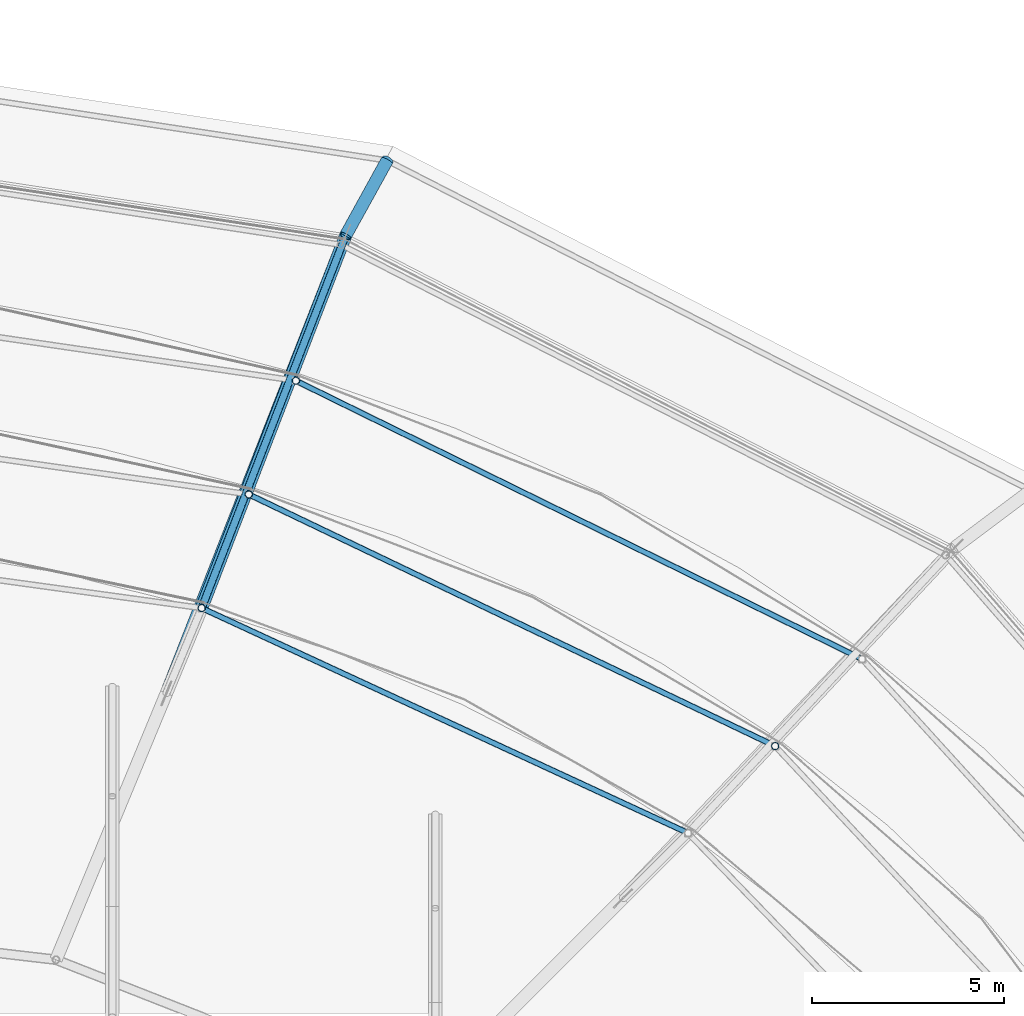
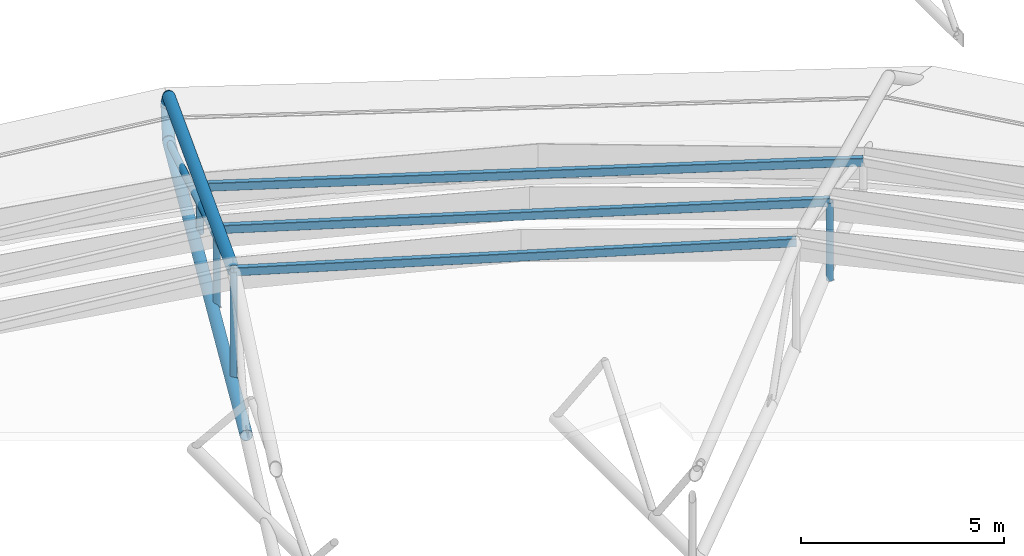
# One storey, part 47 of 134: 9 members, 3 beams.
"""IFC4 building model written with IfcOpenShell, lengths in metres."""

import ifcopenshell
import ifcopenshell.guid

model = None  # the IFC model being written
_history = None  # IfcOwnerHistory: only IFC2X3 demands one
_inside = {}  # id of a spatial element -> (the spatial element, [elements in it])
_under = {}  # id of a project, library or spatial element -> (it, [spatial elements below it])
_declared = {}  # id of a project -> (the project, [libraries it declares])
_typed = {}  # id of a type object -> (the type object, [elements of that type])
_made_of = {}  # id of a material, layer set ... -> (it, [elements and type objects made of it])


def new_model(schema):
    """Start an empty IFC model of exactly this schema.

    Asked for "IFC4X3", IfcOpenShell would pick the latest addendum, in which some entities
    have other attributes; the version numbers below select the first issue.
    IFC2X3 requires an IfcOwnerHistory on every rooted entity: one is made here for all.
    """
    global model, _history
    if schema == "IFC4X3":
        model = ifcopenshell.file(schema_version=(4, 3, 0, 0))
    else:
        model = ifcopenshell.file(schema=schema)
    _inside.clear()
    _under.clear()
    _declared.clear()
    _typed.clear()
    _made_of.clear()
    _history = None
    if model.schema == "IFC2X3":
        org = make("IfcOrganization", Name="unknown")
        user = make(
            "IfcPersonAndOrganization",
            ThePerson=make("IfcPerson", FamilyName="unknown"),
            TheOrganization=org,
        )
        app = make(
            "IfcApplication",
            ApplicationDeveloper=org,
            Version="unknown",
            ApplicationFullName="unknown",
            ApplicationIdentifier="unknown",
        )
        _history = make(
            "IfcOwnerHistory",
            OwningUser=user,
            OwningApplication=app,
            ChangeAction="ADDED",
            CreationDate=0,
        )
    return model


def make(cls, **values):
    """One entity of the class cls with the attributes given. An attribute that is None is left unset."""
    return model.create_entity(
        cls, **{name: value for name, value in values.items() if value is not None}
    )


def rooted(cls, **values):
    """An entity with a GlobalId (a new one), such as an element, a storey or a relation."""
    return make(cls, GlobalId=ifcopenshell.guid.new(), OwnerHistory=_history, **values)


def si_unit(unit_type, name, prefix=None):
    """IfcSIUnit, for example si_unit("LENGTHUNIT", "METRE", prefix="MILLI")."""
    return make("IfcSIUnit", UnitType=unit_type, Prefix=prefix, Name=name)


def derived_unit(unit_type, elements):
    """IfcDerivedUnit: a product of units, each with its exponent."""
    return make(
        "IfcDerivedUnit",
        Elements=[
            make("IfcDerivedUnitElement", Unit=unit, Exponent=power)
            for unit, power in elements
        ],
        UnitType=unit_type,
    )


def assignment(units):
    """IfcUnitAssignment: the units of a project."""
    return None if units is None else make("IfcUnitAssignment", Units=units)


def point(xyz):
    """IfcCartesianPoint."""
    return None if xyz is None else make("IfcCartesianPoint", Coordinates=xyz)


def direction(xyz):
    """IfcDirection."""
    return None if xyz is None else make("IfcDirection", DirectionRatios=xyz)


def frame(location, z_axis=None, x_axis=None):
    """IfcAxis2Placement3D, a coordinate frame: its origin and axes. An axis left out is left unset."""
    return make(
        "IfcAxis2Placement3D",
        Location=point(location),
        Axis=direction(z_axis),
        RefDirection=direction(x_axis),
    )


def frame_2d(location, x_axis=None):
    """IfcAxis2Placement2D, a coordinate frame in the plane: its origin and x axis."""
    return make(
        "IfcAxis2Placement2D", Location=point(location), RefDirection=direction(x_axis)
    )


def origin():
    """The frame at (0, 0, 0) with its axes left unset."""
    return frame((0.0, 0.0, 0.0))


def origin_2d():
    """The frame at (0, 0) in the plane with its x axis left unset."""
    return frame_2d((0.0, 0.0))


def place(relative_to, where):
    """IfcLocalPlacement: puts the frame where relative to a parent placement (None: the world)."""
    return make(
        "IfcLocalPlacement", PlacementRelTo=relative_to, RelativePlacement=where
    )


def context(
    kind, dimensions, precision=None, world=None, true_north=None, identifier=None
):
    """IfcGeometricRepresentationContext, for example the 3D "Model" context."""
    return make(
        "IfcGeometricRepresentationContext",
        ContextIdentifier=identifier,
        ContextType=kind,
        CoordinateSpaceDimension=dimensions,
        Precision=precision,
        WorldCoordinateSystem=world,
        TrueNorth=true_north,
    )


def subcontext(parent, identifier, kind, view, scale=None):
    """IfcGeometricRepresentationSubContext, for example "Body" below "Model"."""
    return make(
        "IfcGeometricRepresentationSubContext",
        ContextIdentifier=identifier,
        ContextType=kind,
        ParentContext=parent,
        TargetScale=scale,
        TargetView=view,
    )


def project(units=None, contexts=None):
    """IfcProject with its units and contexts."""
    return rooted(
        "IfcProject",
        Name="project",
        RepresentationContexts=contexts,
        UnitsInContext=assignment(units),
    )


def spatial(cls, under=None, at=None, **own):
    """A site, building, storey or space (cls), placed at a placement, below another one or the project."""
    s = rooted(cls, ObjectPlacement=at, **own)
    if under is not None:
        _under.setdefault(under.id(), (under, []))[1].append(s)
    return s


def profile(cls, at=None, kind="AREA", **sizes):
    """A parametric profile (cls). Its sizes go by their IFC names, for example OverallWidth=200.0."""
    return make(cls, ProfileType=kind, Position=at, **sizes)


def hollow_rectangle(**sizes):
    """IfcRectangleHollowProfileDef."""
    return profile("IfcRectangleHollowProfileDef", **sizes)


def hollow_circle(**sizes):
    """IfcCircleHollowProfileDef."""
    return profile("IfcCircleHollowProfileDef", **sizes)


def extrude(swept, where, along, depth):
    """IfcExtrudedAreaSolid: the profile swept, set in the frame where, extruded along a direction by depth."""
    return make(
        "IfcExtrudedAreaSolid",
        SweptArea=swept,
        Position=where,
        ExtrudedDirection=direction(along),
        Depth=depth,
    )


def shape(context_of_items, identifier, shape_type, items):
    """IfcShapeRepresentation: the items that make up one representation, for example the "Body"."""
    return make(
        "IfcShapeRepresentation",
        ContextOfItems=context_of_items,
        RepresentationIdentifier=identifier,
        RepresentationType=shape_type,
        Items=items,
    )


def material(Name=None, Category=None):
    """IfcMaterial."""
    return make("IfcMaterial", Name=Name, Category=Category)


def material_profile(
    of_material, cross_section, Name=None, Category=None, Priority=None
):
    """IfcMaterialProfile: a cross section and its material."""
    return make(
        "IfcMaterialProfile",
        Name=Name,
        Material=of_material,
        Profile=cross_section,
        Priority=Priority,
        Category=Category,
    )


def profile_set(profiles, Name=None, composite=None):
    """IfcMaterialProfileSet."""
    return make(
        "IfcMaterialProfileSet",
        Name=Name,
        MaterialProfiles=profiles,
        CompositeProfile=composite,
    )


def made_of(thing, what):
    """Note that an element or type object is made of a material, layer set ...; save() writes the relation."""
    if what is not None:
        _made_of.setdefault(what.id(), (what, []))[1].append(thing)
    return thing


def type_object(cls, material=None, **own):
    """A type object (cls), such as IfcWallType, which elements share."""
    return made_of(rooted(cls, **own), material)


def element(
    cls,
    number,
    at=None,
    inside=None,
    cuts=None,
    type_object=None,
    material=None,
    context=None,
    identifier="Body",
    shape_type=None,
    held_by="IfcProductDefinitionShape",
    body=None,
    shapes=None,
    **own,
):
    """One element of the class cls, such as IfcWall. Its Tag is "e" and its number.

    at: its placement. inside: the storey or other place that contains it. cuts: it is an
    opening in that element (IfcRelVoidsElement). A single representation is given by context,
    identifier, shape_type and body (its items); several are given by shapes. held_by: the class
    of the entity that holds the representations. save() writes the other relations.
    """
    e = rooted(cls, Tag="e%d" % number, ObjectPlacement=at, **own)
    if body is not None:
        shapes = [shape(context, identifier, shape_type, body)]
    if shapes is not None:
        e.Representation = make(held_by, Representations=shapes)
    if inside is not None:
        _inside.setdefault(inside.id(), (inside, []))[1].append(e)
    if cuts is not None:
        rooted(
            "IfcRelVoidsElement", RelatingBuildingElement=cuts, RelatedOpeningElement=e
        )
    if type_object is not None:
        _typed.setdefault(type_object.id(), (type_object, []))[1].append(e)
    return made_of(e, material)


def aggregate(whole, parts):
    """IfcRelAggregates: a whole, such as a stair, and the parts it consists of."""
    return rooted("IfcRelAggregates", RelatingObject=whole, RelatedObjects=parts)


def save(model, path):
    """Write the relations noted so far, then the file.

    IfcRelAggregates (storeys below a building ...), IfcRelContainedInSpatialStructure (elements
    in a storey), IfcRelDefinesByType, IfcRelAssociatesMaterial and IfcRelDeclares: one each for
    every whole, place, type object, material and project.
    """
    for whole, parts in _under.values():
        aggregate(whole, parts)
    for where, things in _inside.values():
        rooted(
            "IfcRelContainedInSpatialStructure",
            RelatedElements=things,
            RelatingStructure=where,
        )
    for kind, things in _typed.values():
        rooted("IfcRelDefinesByType", RelatedObjects=things, RelatingType=kind)
    for what, things in _made_of.values():
        rooted("IfcRelAssociatesMaterial", RelatedObjects=things, RelatingMaterial=what)
    for by, libraries in _declared.values():
        rooted("IfcRelDeclares", RelatingContext=by, RelatedDefinitions=libraries)
    model.write(path)


model = new_model("IFC4")

# Units and contexts
model_context = context("Model", 3, precision=1e-05, world=origin(), true_north=direction((0.0, 1.0)))
body_context = subcontext(model_context, "Body", "Model", "MODEL_VIEW")
ifc_project = project(units=[si_unit("LENGTHUNIT", "METRE"), si_unit("AREAUNIT", "SQUARE_METRE"), si_unit("VOLUMEUNIT", "CUBIC_METRE"), si_unit("PLANEANGLEUNIT", "RADIAN"), si_unit("MASSUNIT", "GRAM", prefix="KILO"), derived_unit("THERMALTRANSMITTANCEUNIT", [(si_unit("MASSUNIT", "GRAM", prefix="KILO"), 1), (si_unit("TIMEUNIT", "SECOND"), -3), (si_unit("THERMODYNAMICTEMPERATUREUNIT", "KELVIN"), -1)])], contexts=[model_context])

# Site, building, storey
site_placement = place(None, origin())
site = spatial("IfcSite", under=ifc_project, at=site_placement, CompositionType="ELEMENT")
building_placement = place(site_placement, origin())
building = spatial("IfcBuilding", under=site, at=building_placement, Name="Kharveza Railside Sports Centre", CompositionType="ELEMENT")
storey_placement = place(building_placement, frame((0.0, 0.0, 12.89990234375)))
storey = spatial("IfcBuildingStorey", under=building, at=storey_placement, Name="L03", CompositionType="ELEMENT", Elevation=12.89990234375)

# Beams
ifc_material = material(Name="Steel S355J2", Category="steel")
ifc_material_profile_1 = material_profile(ifc_material, hollow_rectangle(XDim=0.14990234375, YDim=0.25, WallThickness=0.010009765625, InnerFilletRadius=0.010009765625, OuterFilletRadius=0.02001953125, at=origin_2d()), Name="RHS 150x250x10.0")
ifc_profile_set_1 = profile_set([ifc_material_profile_1], Name="Steel S355J2")
beam_type = type_object("IfcBeamType", Name="BM-SP04", PredefinedType="SPANDREL", material=ifc_profile_set_1)
beam_1_placement = place(storey_placement, frame((86.70263671875, 74.017333984375, 1.35498046875), z_axis=(-0.897432424779, 0.441151949962, 0.0), x_axis=(-0.441151949962, -0.897432424779, 0.0)))
element("IfcBeam", 1, at=beam_1_placement, inside=storey, type_object=beam_type, Name="BM-LIDRING-S2-03", PredefinedType="SPANDREL", context=body_context, shape_type="SweptSolid", body=[
    extrude(hollow_rectangle(XDim=0.14990234375, YDim=0.25, WallThickness=0.010009765625, InnerFilletRadius=0.010009765625, OuterFilletRadius=0.02001953125, at=origin_2d()), origin(), (0.0, 0.0, 1.0), 16.412109375),
])
beam_2_placement = place(storey_placement, frame((84.43994140625, 71.754638671875, 2.30517578125), z_axis=(-0.902161989983, 0.431397431414, 0.0), x_axis=(-0.431397431414, -0.902161989983, 0.0)))
element("IfcBeam", 2, at=beam_2_placement, inside=storey, type_object=beam_type, Name="BM-LIDRING-S3-03", PredefinedType="SPANDREL", context=body_context, shape_type="SweptSolid", body=[
    extrude(hollow_rectangle(XDim=0.14990234375, YDim=0.25, WallThickness=0.010009765625, InnerFilletRadius=0.010009765625, OuterFilletRadius=0.02001953125, at=origin_2d()), origin(), (0.0, 0.0, 1.0), 15.17529296875),
])
beam_3_placement = place(storey_placement, frame((82.17724609375, 69.491943359375, 3.255126953125), z_axis=(-0.907600766423, 0.419834311114, 0.0), x_axis=(-0.419834311114, -0.907600766423, 0.0)))
element("IfcBeam", 3, at=beam_3_placement, inside=storey, type_object=beam_type, Name="BM-LIDRING-S4-03", PredefinedType="SPANDREL", context=body_context, shape_type="SweptSolid", body=[
    extrude(hollow_rectangle(XDim=0.14990234375, YDim=0.25, WallThickness=0.010009765625, InnerFilletRadius=0.010009765625, OuterFilletRadius=0.02001953125, at=origin_2d()), origin(), (0.0, 0.0, 1.0), 13.940673828125),
])

# Members
ifc_material_profile_2 = material_profile(ifc_material, hollow_circle(Radius=0.161865234375, WallThickness=0.01611328125, at=origin_2d()), Name="CHS 323.9x16.0")
ifc_profile_set_2 = profile_set([ifc_material_profile_2], Name="Steel S355J2")
member_type_1 = type_object("IfcMemberType", Name="MB-CH02", PredefinedType="CHORD", material=ifc_profile_set_2)
member_1_placement = place(storey_placement, frame((68.606201171875, 73.12744140625, -0.0498046875), z_axis=(0.364748123264, 0.931106227331, 0.0), x_axis=(-0.931106227331, 0.364748123264, 0.0)))
element("IfcMember", 4, at=member_1_placement, inside=storey, type_object=member_type_1, Name="MB-OUT-BC2-04", PredefinedType="CHORD", context=body_context, shape_type="SweptSolid", body=[
    extrude(hollow_circle(Radius=0.161865234375, WallThickness=0.01611328125, at=origin_2d()), origin(), (0.0, 0.0, 1.0), 12.7998046875),
])
member_2_placement = place(storey_placement, frame((73.27490234375, 85.04541015625, -0.0498046875), z_axis=(0.474596675041, 0.859334649477, -0.190530722584), x_axis=(-0.87537035481, 0.483452936613, 0.0)))
element("IfcMember", 5, at=member_2_placement, inside=storey, type_object=member_type_1, Name="MB-OUT-BC3-04", PredefinedType="CHORD", context=body_context, shape_type="SweptSolid", body=[
    extrude(hollow_circle(Radius=0.161865234375, WallThickness=0.01611328125, at=origin_2d()), origin(), (0.0, 0.0, 1.0), 2.2578125),
])
member_3_placement = place(storey_placement, frame((69.524658203125, 75.3447265625, 3.25), z_axis=(0.354412385385, 0.916751625603, -0.184277828401), x_axis=(-0.932725297758, 0.360587740949, 0.0)))
element("IfcMember", 6, at=member_3_placement, inside=storey, type_object=member_type_1, Name="MB-OUT-TC2-04", PredefinedType="CHORD", context=body_context, shape_type="SweptSolid", body=[
    extrude(hollow_circle(Radius=0.161865234375, WallThickness=0.01611328125, at=origin_2d()), origin(), (0.0, 0.0, 1.0), 10.58154296875),
])
member_4_placement = place(storey_placement, frame((73.27490234375, 85.04541015625, 1.300048828125), z_axis=(0.37694056195, 0.68251233671, -0.626173077508), x_axis=(-0.87537035481, 0.483452936613, 0.0)))
element("IfcMember", 7, at=member_4_placement, inside=storey, type_object=member_type_1, Name="MB-OUT-TC3-04", PredefinedType="CHORD", context=body_context, shape_type="SweptSolid", body=[
    extrude(hollow_circle(Radius=0.161865234375, WallThickness=0.01611328125, at=origin_2d()), origin(), (0.0, 0.0, 1.0), 2.8427734375),
])
ifc_material_profile_3 = material_profile(ifc_material, hollow_circle(Radius=0.096923828125, WallThickness=0.010009765625, at=origin_2d()), Name="CHS 193.7x10.0")
ifc_profile_set_3 = profile_set([ifc_material_profile_3], Name="Steel S355J2")
member_type_2 = type_object("IfcMemberType", Name="MB-ST02", PredefinedType="STRUT", material=ifc_profile_set_3)
member_5_placement = place(storey_placement, frame((71.973876953125, 81.257568359375, -0.0498046875), z_axis=(0.0, 0.0, 1.0), x_axis=(1.0, 0.0, 0.0)))
element("IfcMember", 8, at=member_5_placement, inside=storey, type_object=member_type_2, Name="MB-LIDPOST-S2-04", PredefinedType="STRUT", context=body_context, shape_type="SweptSolid", body=[
    extrude(hollow_circle(Radius=0.096923828125, WallThickness=0.010009765625, at=origin_2d()), origin(), (0.0, 0.0, 1.0), 1.40478515625),
])
for number, where, z_axis, x_axis, name in (
    (9, (84.43994140625, 71.754638671875, -0.0498046875), (0.0, 0.0, 1.0), (1.0, 0.0, 0.0), "MB-LIDPOST-S3-03"),
    (10, (70.749267578125, 78.30126953125, -0.0498046875), (0.0, 0.0, 1.0), (1.0, 0.0, 0.0), "MB-LIDPOST-S3-04"),
):
    element("IfcMember", number, at=place(storey_placement, frame(where, z_axis=z_axis, x_axis=x_axis)), inside=storey, type_object=member_type_2, Name=name, PredefinedType="STRUT", context=body_context, shape_type="SweptSolid", body=[
        extrude(hollow_circle(Radius=0.096923828125, WallThickness=0.010009765625, at=origin_2d()), origin(), (0.0, 0.0, 1.0), 2.35498046875),
    ])
member_6_placement = place(storey_placement, frame((69.524658203125, 75.3447265625, -0.0498046875), z_axis=(0.0, 0.0, 1.0), x_axis=(1.0, 0.0, 0.0)))
element("IfcMember", 11, at=member_6_placement, inside=storey, type_object=member_type_2, Name="MB-LIDPOST-S4-04", PredefinedType="STRUT", context=body_context, shape_type="SweptSolid", body=[
    extrude(hollow_circle(Radius=0.096923828125, WallThickness=0.010009765625, at=origin_2d()), origin(), (0.0, 0.0, 1.0), 3.304931640625),
])
member_7_placement = place(storey_placement, frame((69.524658203125, 75.3447265625, 3.25), z_axis=(0.343703015624, 0.889049907089, -0.302421063679), x_axis=(-0.932725297758, 0.360587740949, 0.0)))
element("IfcMember", 12, at=member_7_placement, inside=storey, type_object=member_type_2, Name="MB-OUT-WEB-04-3", PredefinedType="STRUT", context=body_context, shape_type="SweptSolid", body=[
    extrude(hollow_circle(Radius=0.096923828125, WallThickness=0.010009765625, at=origin_2d()), origin(), (0.0, 0.0, 1.0), 10.911376953125),
])

save(model, "model.ifc")
